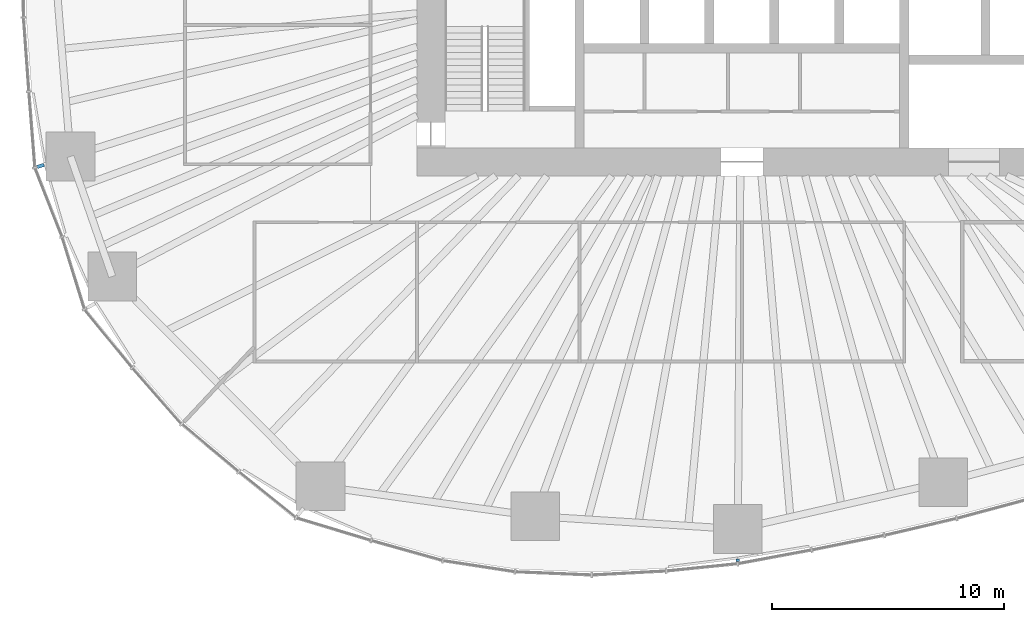
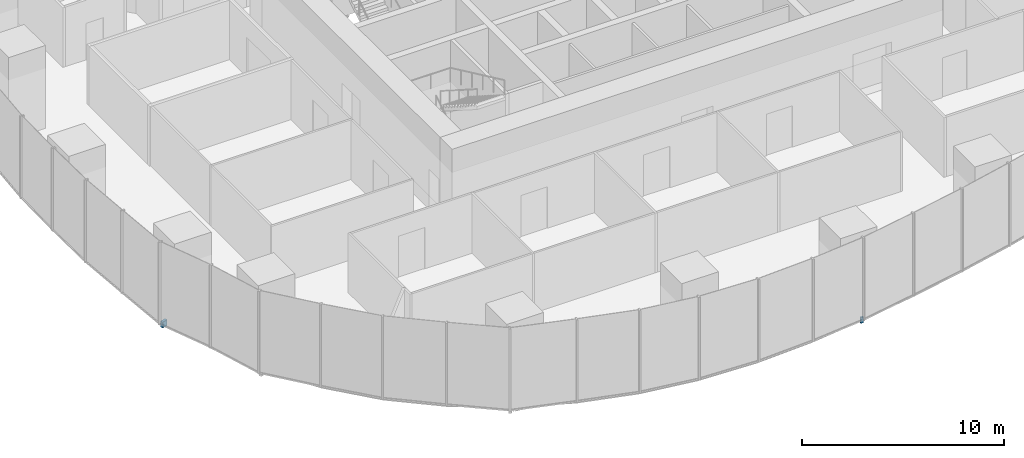
# One storey, part 13 of 20: 2 discrete accessories.
"""IFC4 building model written with IfcOpenShell, lengths in metres."""

from ifc_helpers import new_model, si_unit, direction, frame, origin, origin_2d, place, context, subcontext, project, spatial, rectangle, extrude, material, type_object, element, save


model = new_model("IFC4")

# Units and contexts
model_context = context("Model", 3, precision=1e-05, world=origin(), true_north=direction((0.0, 1.0)))
body_context = subcontext(model_context, "Body", "Model", "MODEL_VIEW")
ifc_project = project(units=[si_unit("LENGTHUNIT", "METRE"), si_unit("AREAUNIT", "SQUARE_METRE"), si_unit("VOLUMEUNIT", "CUBIC_METRE"), si_unit("PLANEANGLEUNIT", "RADIAN"), si_unit("MASSUNIT", "GRAM", prefix="KILO")], contexts=[model_context])

# Site, building, storey
site_placement = place(None, origin())
site = spatial("IfcSite", under=ifc_project, at=site_placement, CompositionType="ELEMENT")
building_placement = place(site_placement, origin())
building = spatial("IfcBuilding", under=site, at=building_placement, Name="Ghaith Harvest Tower", CompositionType="ELEMENT")
storey_placement = place(building_placement, frame((0.0, 0.0, 40.0)))
storey = spatial("IfcBuildingStorey", under=building, at=storey_placement, Name="L08", CompositionType="ELEMENT", Elevation=40.0)

# Discrete accessories
ifc_material_1 = material(Name="Stainless steel grade 1.4401", Category="steel")
discrete_accessory_type_1 = type_object("IfcDiscreteAccessoryType", Name="CURTAIN WALL BRACKET 315", PredefinedType="BRACKET", material=ifc_material_1)
discrete_accessory_1_placement = place(storey_placement, frame((-30.219482421875, -9.5771484375, -0.25), z_axis=(0.0, 0.0, 1.0), x_axis=(-0.953273219416, -0.302109531701, 0.0)))
element("IfcDiscreteAccessory", 1, at=discrete_accessory_1_placement, inside=storey, type_object=discrete_accessory_type_1, Name="CW-F bracket 1 bay 12 L08", PredefinedType="BRACKET", context=body_context, shape_type="SweptSolid", body=[
    extrude(rectangle(XDim=0.31494140625, YDim=0.14990234375, at=origin_2d()), origin(), (0.0, 0.0, 1.0), 0.35009765625),
])
ifc_material_2 = material(Name="Stainless steel grade 1.4401", Category="steel")
discrete_accessory_type_2 = type_object("IfcDiscreteAccessoryType", Name="CURTAIN WALL BRACKET 95", PredefinedType="BRACKET", material=ifc_material_2)
discrete_accessory_2_placement = place(storey_placement, frame((-0.181884765625, -26.569580078125, -0.25), z_axis=(0.0, 0.0, 1.0), x_axis=(-0.006843747957, -0.999976581283, 0.0)))
element("IfcDiscreteAccessory", 2, at=discrete_accessory_2_placement, inside=storey, type_object=discrete_accessory_type_2, Name="CW-F bracket 1 bay 16 L08", PredefinedType="BRACKET", context=body_context, shape_type="SweptSolid", body=[
    extrude(rectangle(XDim=0.094970703125, YDim=0.14990234375, at=origin_2d()), origin(), (0.0, 0.0, 1.0), 0.35009765625),
])

save(model, "model.ifc")
